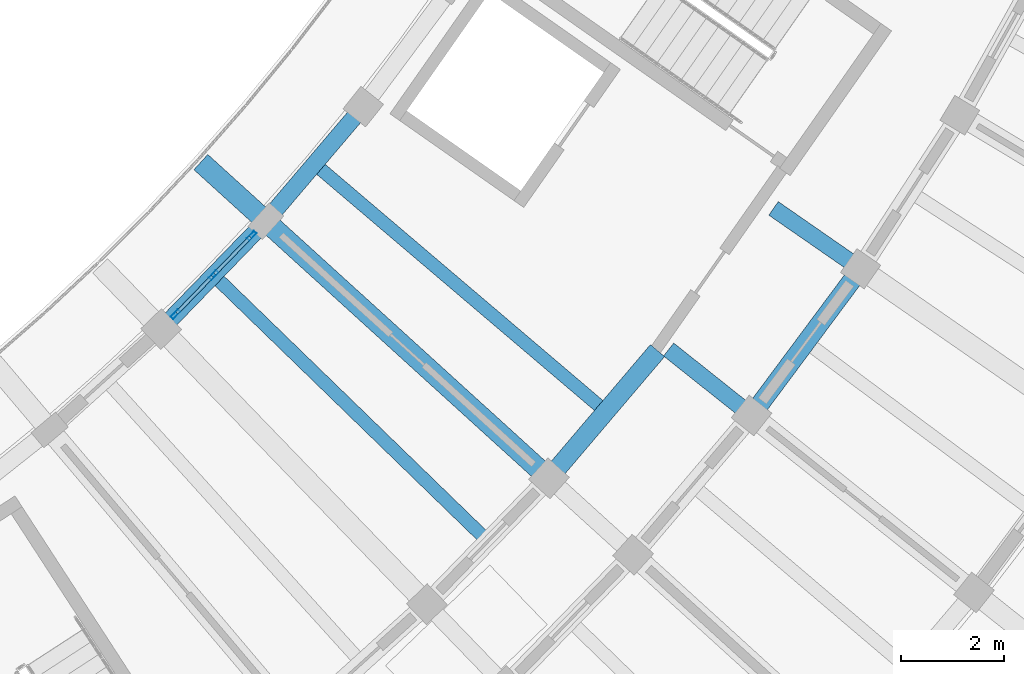
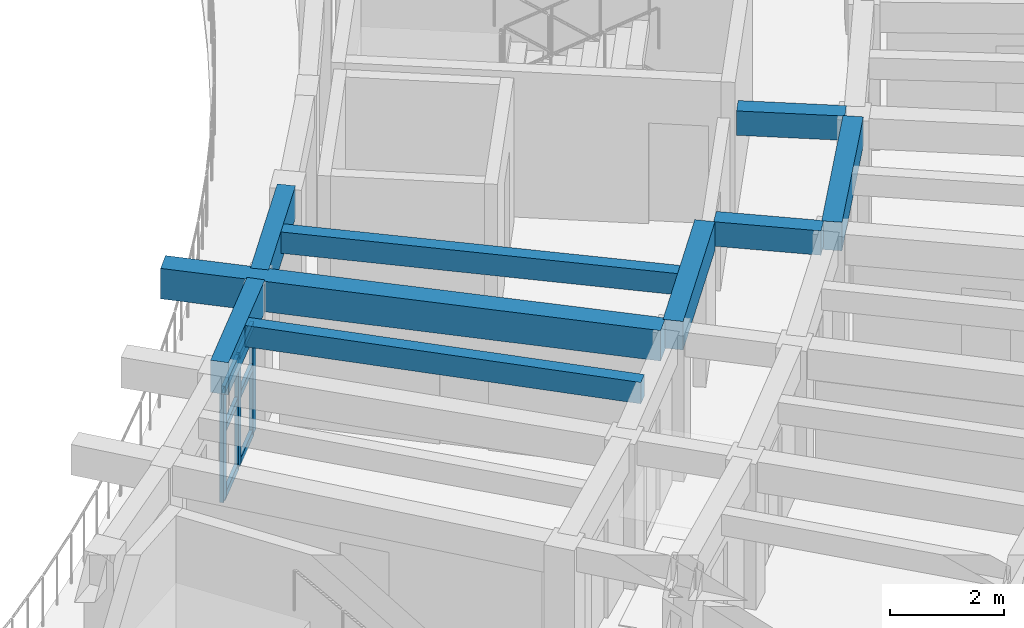
# One storey, part 20 of 81: 9 beams, 9 members, 1 element without a shape of its own.
"""IFC4 building model written with IfcOpenShell, lengths in metres."""

from ifc_helpers import new_model, si_unit, direction, frame, origin, origin_2d, place, context, subcontext, project, spatial, rectangle, hollow_rectangle, extrude, material, material_profile, profile_set, type_object, element, aggregate, save


model = new_model("IFC4")

# Units and contexts
model_context = context("Model", 3, precision=1e-05, world=origin(), true_north=direction((0.0, 1.0)))
body_context = subcontext(model_context, "Body", "Model", "MODEL_VIEW")
ifc_project = project(units=[si_unit("LENGTHUNIT", "METRE"), si_unit("AREAUNIT", "SQUARE_METRE"), si_unit("VOLUMEUNIT", "CUBIC_METRE"), si_unit("PLANEANGLEUNIT", "RADIAN"), si_unit("MASSUNIT", "GRAM", prefix="KILO")], contexts=[model_context])

# Site, building, storey
site_placement = place(None, origin())
site = spatial("IfcSite", under=ifc_project, at=site_placement, CompositionType="ELEMENT")
building_placement = place(site_placement, origin())
building = spatial("IfcBuilding", under=site, at=building_placement, Name="Tanwirah Colonnade Gardens", CompositionType="ELEMENT")
storey_placement = place(building_placement, frame((0.0, 0.0, 18.919921875)))
storey = spatial("IfcBuildingStorey", under=building, at=storey_placement, Name="L05", CompositionType="ELEMENT", Elevation=18.919921875)

# Beams
ifc_material_1 = material(Name="Precast concrete C40/50", Category="concrete")
ifc_material_profile_1 = material_profile(ifc_material_1, rectangle(XDim=0.360107421875, YDim=0.610107421875, at=origin_2d()), Name="PC-BM 360x610")
ifc_profile_set_1 = profile_set([ifc_material_profile_1], Name="Precast concrete C40/50")
beam_type_1 = type_object("IfcBeamType", Name="BM-PC300", PredefinedType="BEAM", material=ifc_profile_set_1)
beam_1_placement = place(storey_placement, frame((159.4775390625, 29.751953125, 2.80517578125), z_axis=(0.647730901566, 0.761869200819, 0.0), x_axis=(-0.761869200819, 0.647730901566, 0.0)))
element("IfcBeam", 1, at=beam_1_placement, inside=storey, type_object=beam_type_1, Name="Block D L05 Circumferential Beam 9-R1", PredefinedType="BEAM", context=body_context, shape_type="SweptSolid", body=[
    extrude(rectangle(XDim=0.360107421875, YDim=0.610107421875, at=origin_2d()), origin(), (0.0, 0.0, 1.0), 3.093017578125),
])
beam_2_placement = place(storey_placement, frame((163.389404296875, 30.973388671875, 2.80517578125), z_axis=(0.596579473879, 0.802554005252, 0.0), x_axis=(-0.802554005252, 0.596579473879, 0.0)))
element("IfcBeam", 2, at=beam_2_placement, inside=storey, type_object=beam_type_1, Name="Block D L05 Circumferential Beam 10-R2", PredefinedType="BEAM", context=body_context, shape_type="SweptSolid", body=[
    extrude(rectangle(XDim=0.360107421875, YDim=0.610107421875, at=origin_2d()), origin(), (0.0, 0.0, 1.0), 3.237060546875),
])
ifc_material_profile_2 = material_profile(ifc_material_1, rectangle(XDim=0.320068359375, YDim=0.52001953125, at=origin_2d()), Name="PC-BM 320x520")
ifc_profile_set_2 = profile_set([ifc_material_profile_2], Name="Precast concrete C40/50")
beam_type_2 = type_object("IfcBeamType", Name="BM-PC320", PredefinedType="BEAM", material=ifc_profile_set_2)
beam_3_placement = place(storey_placement, frame((161.695556640625, 32.129150390625, 2.85009765625), z_axis=(0.782670764896, -0.622435919415, 0.0), x_axis=(0.622435919415, 0.782670764896, 0.0)))
element("IfcBeam", 3, at=beam_3_placement, inside=storey, type_object=beam_type_2, Name="Block D L05 Corridor Tie Beam 10", PredefinedType="BEAM", context=body_context, shape_type="SweptSolid", body=[
    extrude(rectangle(XDim=0.320068359375, YDim=0.52001953125, at=origin_2d()), origin(), (0.0, 0.0, 1.0), 1.89990234375),
])
beam_4_placement = place(storey_placement, frame((163.7255859375, 34.860107421875, 2.85009765625), z_axis=(0.821669163201, -0.569964723684, 0.0), x_axis=(0.569964723684, 0.821669163201, 0.0)))
element("IfcBeam", 4, at=beam_4_placement, inside=storey, type_object=beam_type_2, Name="Block D L05 Corridor Tie Beam 11", PredefinedType="BEAM", context=body_context, shape_type="SweptSolid", body=[
    extrude(rectangle(XDim=0.320068359375, YDim=0.52001953125, at=origin_2d()), origin(), (0.0, 0.0, 1.0), 1.900146484375),
])
ifc_material_2 = material(Name="Precast concrete C45/55", Category="concrete")
ifc_material_profile_3 = material_profile(ifc_material_2, rectangle(XDim=0.39990234375, YDim=0.64990234375, at=origin_2d()), Name="PC-BM 400x650")
ifc_profile_set_3 = profile_set([ifc_material_profile_3], Name="Precast concrete C45/55")
beam_type_3 = type_object("IfcBeamType", Name="BM-PC400", PredefinedType="BEAM", material=ifc_profile_set_3)
beam_5_placement = place(storey_placement, frame((159.269287109375, 29.738525390625, 2.78515625), z_axis=(-0.740212791446, 0.672372681911, 0.0), x_axis=(-0.672372681911, -0.740212791446, 0.0)))
element("IfcBeam", 5, at=beam_5_placement, inside=storey, type_object=beam_type_3, Name="Block D L05 Inner Radial Precast Girder 9", PredefinedType="BEAM", context=body_context, shape_type="SweptSolid", body=[
    extrude(rectangle(XDim=0.39990234375, YDim=0.64990234375, at=origin_2d()), origin(), (0.0, 0.0, 1.0), 8.9501953125),
])

# Curtain wall, members
ifc_material_3 = material(Name="Bronze-anodised aluminium and solar-control low-E glass", Category="aluminium")
curtain_wall_type = type_object("IfcCurtainWallType", Name="CW-GDN", PredefinedType="NOTDEFINED", material=ifc_material_3)
curtain_wall_placement = place(storey_placement, origin())
curtain_wall = element("IfcCurtainWall", 6, at=curtain_wall_placement, inside=storey, type_object=curtain_wall_type, Name="Curtain Wall CW-D-L05-IN-08", PredefinedType="NOTDEFINED")
ifc_material_4 = material(Name="Bronze-anodised aluminium", Category="aluminium")
ifc_material_profile_4 = material_profile(ifc_material_4, hollow_rectangle(XDim=0.070068359375, YDim=0.199951171875, WallThickness=0.00390625, at=origin_2d()), Name="CW-MUL 70x200x4")
ifc_profile_set_4 = profile_set([ifc_material_profile_4], Name="Bronze-anodised aluminium")
member_type_1 = type_object("IfcMemberType", Name="CWM-70x200", PredefinedType="MULLION", material=ifc_profile_set_4)
member_1_placement = place(storey_placement, frame((152.152587890625, 32.808837890625, 0.0), z_axis=(0.0, 0.0, 1.0), x_axis=(-0.717825107678, 0.696223466127, 0.0)))
member_1 = element("IfcMember", 7, at=member_1_placement, type_object=member_type_1, Name="CW-GDN mullion 1", PredefinedType="MULLION", context=body_context, shape_type="SweptSolid", body=[
    extrude(hollow_rectangle(XDim=0.070068359375, YDim=0.199951171875, WallThickness=0.00390625, at=origin_2d()), origin(), (0.0, 0.0, 1.0), 2.35498046875),
])
member_2_placement = place(storey_placement, frame((152.89013671875, 33.5693359375, 0.0), z_axis=(0.0, 0.0, 1.0), x_axis=(-0.717825107678, 0.696223466127, 0.0)))
member_2 = element("IfcMember", 8, at=member_2_placement, type_object=member_type_1, Name="CW-GDN mullion 2", PredefinedType="MULLION", context=body_context, shape_type="SweptSolid", body=[
    extrude(hollow_rectangle(XDim=0.070068359375, YDim=0.199951171875, WallThickness=0.00390625, at=origin_2d()), origin(), (0.0, 0.0, 1.0), 2.35498046875),
])
member_3_placement = place(storey_placement, frame((153.627685546875, 34.329833984375, 0.0), z_axis=(0.0, 0.0, 1.0), x_axis=(-0.717825107678, 0.696223466127, 0.0)))
member_3 = element("IfcMember", 9, at=member_3_placement, type_object=member_type_1, Name="CW-GDN mullion 3", PredefinedType="MULLION", context=body_context, shape_type="SweptSolid", body=[
    extrude(hollow_rectangle(XDim=0.070068359375, YDim=0.199951171875, WallThickness=0.00390625, at=origin_2d()), origin(), (0.0, 0.0, 1.0), 2.35498046875),
])
ifc_material_profile_5 = material_profile(ifc_material_4, hollow_rectangle(XDim=0.070068359375, YDim=0.14990234375, WallThickness=0.00390625, at=origin_2d()), Name="CW-TRN 70x150x4")
ifc_profile_set_5 = profile_set([ifc_material_profile_5], Name="Bronze-anodised aluminium")
member_type_2 = type_object("IfcMemberType", Name="CWT-70x150", PredefinedType="USERDEFINED", material=ifc_profile_set_5)
member_4_placement = place(storey_placement, frame((152.177001953125, 32.833984375, 0.03515625), z_axis=(0.696165106351, 0.71788170662, 0.0), x_axis=(-0.71788170662, 0.696165106351, 0.0)))
member_4 = element("IfcMember", 10, at=member_4_placement, type_object=member_type_2, Name="CW-GDN transom 1.1", ObjectType="TRANSOM", PredefinedType="USERDEFINED", context=body_context, shape_type="SweptSolid", body=[
    extrude(hollow_rectangle(XDim=0.070068359375, YDim=0.14990234375, WallThickness=0.00390625, at=origin_2d()), origin(), (0.0, 0.0, 1.0), 0.9892578125),
])
member_5_placement = place(storey_placement, frame((152.177001953125, 32.833984375, 1.460205078125), z_axis=(0.696165106351, 0.71788170662, 0.0), x_axis=(-0.71788170662, 0.696165106351, 0.0)))
member_5 = element("IfcMember", 11, at=member_5_placement, type_object=member_type_2, Name="CW-GDN transom 1.2", ObjectType="TRANSOM", PredefinedType="USERDEFINED", context=body_context, shape_type="SweptSolid", body=[
    extrude(hollow_rectangle(XDim=0.070068359375, YDim=0.14990234375, WallThickness=0.00390625, at=origin_2d()), origin(), (0.0, 0.0, 1.0), 0.9892578125),
])
member_6_placement = place(storey_placement, frame((152.177001953125, 32.833984375, 2.320068359375), z_axis=(0.696165106351, 0.71788170662, 0.0), x_axis=(-0.71788170662, 0.696165106351, 0.0)))
member_6 = element("IfcMember", 12, at=member_6_placement, type_object=member_type_2, Name="CW-GDN transom 1.3", ObjectType="TRANSOM", PredefinedType="USERDEFINED", context=body_context, shape_type="SweptSolid", body=[
    extrude(hollow_rectangle(XDim=0.070068359375, YDim=0.14990234375, WallThickness=0.00390625, at=origin_2d()), origin(), (0.0, 0.0, 1.0), 0.9892578125),
])
member_7_placement = place(storey_placement, frame((152.91455078125, 33.594482421875, 0.03515625), z_axis=(0.696165106351, 0.71788170662, 0.0), x_axis=(-0.71788170662, 0.696165106351, 0.0)))
member_7 = element("IfcMember", 13, at=member_7_placement, type_object=member_type_2, Name="CW-GDN transom 2.1", ObjectType="TRANSOM", PredefinedType="USERDEFINED", context=body_context, shape_type="SweptSolid", body=[
    extrude(hollow_rectangle(XDim=0.070068359375, YDim=0.14990234375, WallThickness=0.00390625, at=origin_2d()), origin(), (0.0, 0.0, 1.0), 0.9892578125),
])
member_8_placement = place(storey_placement, frame((152.91455078125, 33.594482421875, 1.460205078125), z_axis=(0.696165106351, 0.71788170662, 0.0), x_axis=(-0.71788170662, 0.696165106351, 0.0)))
member_8 = element("IfcMember", 14, at=member_8_placement, type_object=member_type_2, Name="CW-GDN transom 2.2", ObjectType="TRANSOM", PredefinedType="USERDEFINED", context=body_context, shape_type="SweptSolid", body=[
    extrude(hollow_rectangle(XDim=0.070068359375, YDim=0.14990234375, WallThickness=0.00390625, at=origin_2d()), origin(), (0.0, 0.0, 1.0), 0.9892578125),
])
member_9_placement = place(storey_placement, frame((152.91455078125, 33.594482421875, 2.320068359375), z_axis=(0.696165106351, 0.71788170662, 0.0), x_axis=(-0.71788170662, 0.696165106351, 0.0)))
member_9 = element("IfcMember", 15, at=member_9_placement, type_object=member_type_2, Name="CW-GDN transom 2.3", ObjectType="TRANSOM", PredefinedType="USERDEFINED", context=body_context, shape_type="SweptSolid", body=[
    extrude(hollow_rectangle(XDim=0.070068359375, YDim=0.14990234375, WallThickness=0.00390625, at=origin_2d()), origin(), (0.0, 0.0, 1.0), 0.9892578125),
])
aggregate(curtain_wall, [member_1, member_2, member_3, member_4, member_5, member_6, member_7, member_8, member_9])

# Beams
ifc_material_profile_6 = material_profile(ifc_material_1, rectangle(XDim=0.2548828125, YDim=0.455078125, at=origin_2d()), Name="PC-JST 255x455")
ifc_profile_set_6 = profile_set([ifc_material_profile_6], Name="Precast concrete C40/50")
beam_type_4 = type_object("IfcBeamType", Name="JST-PC240", PredefinedType="JOIST", material=ifc_profile_set_6)
beam_6_placement = place(storey_placement, frame((152.993408203125, 33.46923828125, 2.882568359375), z_axis=(0.717816218075, -0.69623263143, 0.0), x_axis=(0.69623263143, 0.717816218075, 0.0)))
element("IfcBeam", 16, at=beam_6_placement, inside=storey, type_object=beam_type_4, Name="Block D L05 Inner Precast Floor Joist 8", PredefinedType="JOIST", context=body_context, shape_type="SweptSolid", body=[
    extrude(rectangle(XDim=0.2548828125, YDim=0.455078125, at=origin_2d()), origin(), (0.0, 0.0, 1.0), 7.16015625),
])
beam_7_placement = place(storey_placement, frame((154.954345703125, 35.628173828125, 2.882568359375), z_axis=(0.761816472242, -0.647792916464, 0.0), x_axis=(0.647792916464, 0.761816472242, 0.0)))
element("IfcBeam", 17, at=beam_7_placement, inside=storey, type_object=beam_type_4, Name="Block D L05 Inner Precast Floor Joist 9", PredefinedType="JOIST", context=body_context, shape_type="SweptSolid", body=[
    extrude(rectangle(XDim=0.2548828125, YDim=0.455078125, at=origin_2d()), origin(), (0.0, 0.0, 1.0), 7.159912109375),
])
ifc_material_profile_7 = material_profile(ifc_material_1, rectangle(XDim=0.324951171875, YDim=0.68505859375, at=origin_2d()), Name="PC-SP 325x685")
ifc_profile_set_7 = profile_set([ifc_material_profile_7], Name="Precast concrete C40/50")
beam_type_5 = type_object("IfcBeamType", Name="SP-PC260", PredefinedType="SPANDREL", material=ifc_profile_set_7)
beam_8_placement = place(storey_placement, frame((151.98193359375, 32.633056640625, 2.767578125), z_axis=(0.696262751108, 0.717787002822, 0.0), x_axis=(-0.717787002822, 0.696262751108, 0.0)))
element("IfcBeam", 18, at=beam_8_placement, inside=storey, type_object=beam_type_5, Name="Block D L05 Circumferential Beam 8-R0", PredefinedType="SPANDREL", context=body_context, shape_type="SweptSolid", body=[
    extrude(rectangle(XDim=0.324951171875, YDim=0.68505859375, at=origin_2d()), origin(), (0.0, 0.0, 1.0), 2.60888671875),
])
beam_9_placement = place(storey_placement, frame((153.999755859375, 34.7275390625, 2.767578125), z_axis=(0.647811402053, 0.761800753065, 0.0), x_axis=(-0.761800753065, 0.647811402053, 0.0)))
element("IfcBeam", 19, at=beam_9_placement, inside=storey, type_object=beam_type_5, Name="Block D L05 Circumferential Beam 9-R0", PredefinedType="SPANDREL", context=body_context, shape_type="SweptSolid", body=[
    extrude(rectangle(XDim=0.324951171875, YDim=0.68505859375, at=origin_2d()), origin(), (0.0, 0.0, 1.0), 2.608642578125),
])

save(model, "model.ifc")
